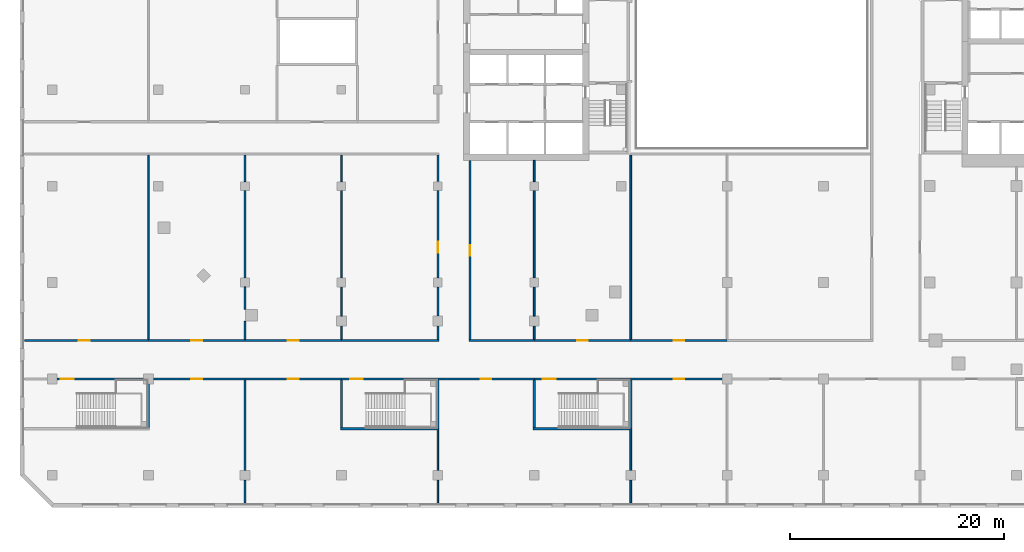
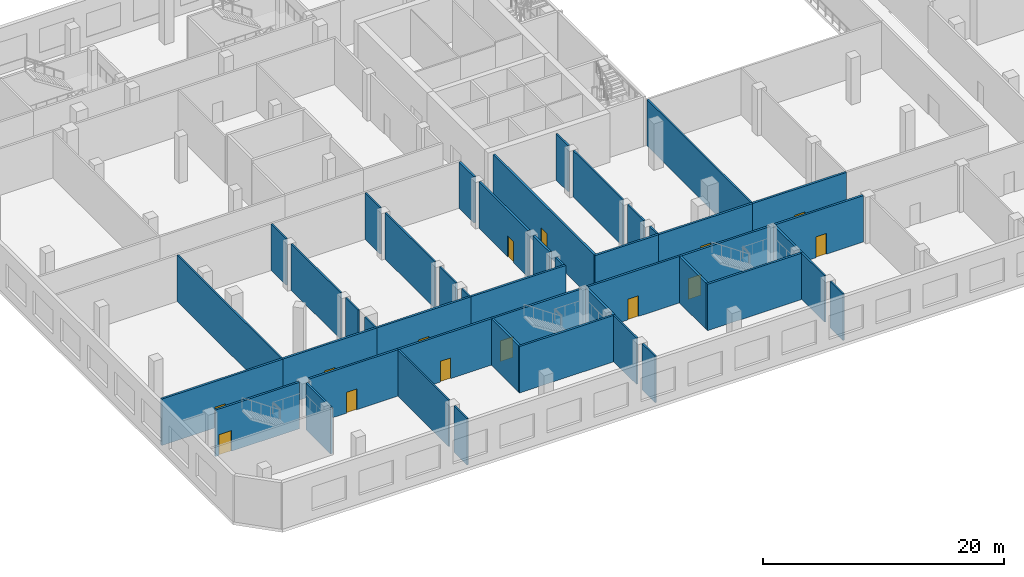
# One storey, part 4 of 21: 46 walls, 14 doors, 14 openings.
"""IFC4 building model written with IfcOpenShell, lengths in metres."""

from ifc_helpers import new_model, si_unit, direction, frame, frame_2d, origin, place, context, subcontext, project, spatial, rectangle, extrude, material, layer, layer_set, type_object, element, fill, save


model = new_model("IFC4")

# Units and contexts
model_context = context("Model", 3, precision=1e-05, world=origin(), true_north=direction((0.0, 1.0)))
body_context = subcontext(model_context, "Body", "Model", "MODEL_VIEW")
ifc_project = project(units=[si_unit("LENGTHUNIT", "METRE"), si_unit("AREAUNIT", "SQUARE_METRE"), si_unit("VOLUMEUNIT", "CUBIC_METRE"), si_unit("PLANEANGLEUNIT", "RADIAN"), si_unit("MASSUNIT", "GRAM", prefix="KILO")], contexts=[model_context])

# Site, building, storey
site_placement = place(None, origin())
site = spatial("IfcSite", under=ifc_project, at=site_placement, CompositionType="ELEMENT")
building_placement = place(site_placement, origin())
building = spatial("IfcBuilding", under=site, at=building_placement, Name="Cinnabar Reach Civic Tower", CompositionType="ELEMENT")
storey_placement = place(building_placement, frame((0.0, 0.0, 16.0)))
storey = spatial("IfcBuildingStorey", under=building, at=storey_placement, Name="L03", CompositionType="ELEMENT", Elevation=16.0)

# Wall, opening, door
ifc_material_1 = material(Name="Concrete blockwork", Category="masonry")
ifc_layer_1 = layer(ifc_material_1, 0.2)
ifc_layer_set_1 = layer_set([ifc_layer_1], Name="Podium masonry corridor wall 200 EI 120")
wall_type_1 = type_object("IfcWallType", Name="Podium masonry corridor wall 200 EI 120", PredefinedType="PARTITIONING", material=ifc_layer_set_1)
wall_1_placement = place(storey_placement, frame((-71.53, 0.0, 0.0), z_axis=(0.0, 0.0, 1.0), x_axis=(1.0, 0.0, 0.0)))
wall_1 = element("IfcWall", 1, at=wall_1_placement, inside=storey, type_object=wall_type_1, Name="Wall L03 41", PredefinedType="PARTITIONING", context=body_context, shape_type="SweptSolid", body=[
    extrude(rectangle(XDim=8.53, YDim=0.2, at=frame_2d((4.265, 0.0))), origin(), (0.0, 0.0, 1.0), 4.7),
])
opening_1_placement = place(wall_1_placement, frame((3.53, 0.0, 0.0)))
opening_1 = element("IfcOpeningElement", 2, at=opening_1_placement, cuts=wall_1, Name="Opening D1170", PredefinedType="OPENING", context=body_context, shape_type="SweptSolid", body=[
    extrude(rectangle(XDim=1.0, YDim=2.1, at=frame_2d((0.5, 1.05))), frame((0.0, 0.11, 0.0), z_axis=(0.0, -1.0, 0.0), x_axis=(1.0, 0.0, 0.0)), (0.0, 0.0, 1.0), 0.22),
])
ifc_material_2 = material(Name="Painted steel door leaf", Category="steel")
door_type_1 = type_object("IfcDoorType", Name="Podium single door 1000x2100", OperationType="SINGLE_SWING_LEFT", PredefinedType="DOOR", material=ifc_material_2)
door_1_placement = place(opening_1_placement, frame((1.0, 0.0, 0.0), z_axis=(0.0, 0.0, 1.0), x_axis=(-1.0, 0.0, 0.0)))
door_1 = element("IfcDoor", 3, at=door_1_placement, inside=storey, type_object=door_type_1, Name="Door D1170", OperationType="SINGLE_SWING_LEFT", OverallHeight=2.1, OverallWidth=1.0, PredefinedType="DOOR", context=body_context, shape_type="SweptSolid", body=[
    extrude(rectangle(XDim=1.0, YDim=2.1, at=frame_2d((0.5, 1.05))), frame((0.0, 0.025, 0.0), z_axis=(0.0, -1.0, 0.0), x_axis=(1.0, 0.0, 0.0)), (0.0, 0.0, 1.0), 0.05),
])
fill(opening_1, door_1)

wall_2_placement = place(storey_placement, frame((-63.0, 0.0, 0.0), z_axis=(0.0, 0.0, 1.0), x_axis=(1.0, 0.0, 0.0)))
wall_2 = element("IfcWall", 4, at=wall_2_placement, inside=storey, type_object=wall_type_1, Name="Wall L03 42", PredefinedType="PARTITIONING", context=body_context, shape_type="SweptSolid", body=[
    extrude(rectangle(XDim=9.0, YDim=0.2, at=frame_2d((4.5, 0.0))), origin(), (0.0, 0.0, 1.0), 4.7),
])
opening_2_placement = place(wall_2_placement, frame((4.0, 0.0, 0.0)))
opening_2 = element("IfcOpeningElement", 5, at=opening_2_placement, cuts=wall_2, Name="Opening D1171", PredefinedType="OPENING", context=body_context, shape_type="SweptSolid", body=[
    extrude(rectangle(XDim=1.0, YDim=2.1, at=frame_2d((0.5, 1.05))), frame((0.0, 0.11, 0.0), z_axis=(0.0, -1.0, 0.0), x_axis=(1.0, 0.0, 0.0)), (0.0, 0.0, 1.0), 0.22),
])
door_2_placement = place(opening_2_placement, frame((1.0, 0.0, 0.0), z_axis=(0.0, 0.0, 1.0), x_axis=(-1.0, 0.0, 0.0)))
door_2 = element("IfcDoor", 6, at=door_2_placement, inside=storey, type_object=door_type_1, Name="Door D1171", OperationType="SINGLE_SWING_LEFT", OverallHeight=2.1, OverallWidth=1.0, PredefinedType="DOOR", context=body_context, shape_type="SweptSolid", body=[
    extrude(rectangle(XDim=1.0, YDim=2.1, at=frame_2d((0.5, 1.05))), frame((0.0, 0.025, 0.0), z_axis=(0.0, -1.0, 0.0), x_axis=(1.0, 0.0, 0.0)), (0.0, 0.0, 1.0), 0.05),
])
fill(opening_2, door_2)

wall_3_placement = place(storey_placement, frame((-45.0, 0.0, 0.0), z_axis=(0.0, 0.0, 1.0), x_axis=(1.0, 0.0, 0.0)))
wall_3 = element("IfcWall", 7, at=wall_3_placement, inside=storey, type_object=wall_type_1, Name="Wall L03 43", PredefinedType="PARTITIONING", context=body_context, shape_type="SweptSolid", body=[
    extrude(rectangle(XDim=9.0, YDim=0.2, at=frame_2d((4.5, 0.0))), origin(), (0.0, 0.0, 1.0), 4.7),
])
opening_3_placement = place(wall_3_placement, frame((4.0, 0.0, 0.0)))
opening_3 = element("IfcOpeningElement", 8, at=opening_3_placement, cuts=wall_3, Name="Opening D1172", PredefinedType="OPENING", context=body_context, shape_type="SweptSolid", body=[
    extrude(rectangle(XDim=1.0, YDim=2.1, at=frame_2d((0.5, 1.05))), frame((0.0, 0.11, 0.0), z_axis=(0.0, -1.0, 0.0), x_axis=(1.0, 0.0, 0.0)), (0.0, 0.0, 1.0), 0.22),
])
door_3_placement = place(opening_3_placement, frame((1.0, 0.0, 0.0), z_axis=(0.0, 0.0, 1.0), x_axis=(-1.0, 0.0, 0.0)))
door_3 = element("IfcDoor", 9, at=door_3_placement, inside=storey, type_object=door_type_1, Name="Door D1172", OperationType="SINGLE_SWING_RIGHT", OverallHeight=2.1, OverallWidth=1.0, PredefinedType="DOOR", context=body_context, shape_type="SweptSolid", body=[
    extrude(rectangle(XDim=1.0, YDim=2.1, at=frame_2d((0.5, 1.05))), frame((0.0, 0.025, 0.0), z_axis=(0.0, -1.0, 0.0), x_axis=(1.0, 0.0, 0.0)), (0.0, 0.0, 1.0), 0.05),
])
fill(opening_3, door_3)

wall_4_placement = place(storey_placement, frame((-83.6, 3.6, 0.0), z_axis=(0.0, 0.0, 1.0), x_axis=(1.0, 0.0, 0.0)))
wall_4 = element("IfcWall", 10, at=wall_4_placement, inside=storey, type_object=wall_type_1, Name="Wall L03 44", PredefinedType="PARTITIONING", context=body_context, shape_type="SweptSolid", body=[
    extrude(rectangle(XDim=11.6, YDim=0.2, at=frame_2d((5.8, 0.0))), origin(), (0.0, 0.0, 1.0), 4.7),
])
opening_4_placement = place(wall_4_placement, frame((5.1, 0.0, 0.0)))
opening_4 = element("IfcOpeningElement", 11, at=opening_4_placement, cuts=wall_4, Name="Opening D1178", PredefinedType="OPENING", context=body_context, shape_type="SweptSolid", body=[
    extrude(rectangle(XDim=1.0, YDim=2.1, at=frame_2d((0.5, 1.05))), frame((0.0, 0.11, 0.0), z_axis=(0.0, -1.0, 0.0), x_axis=(1.0, 0.0, 0.0)), (0.0, 0.0, 1.0), 0.22),
])
door_4_placement = place(opening_4_placement, origin())
door_4 = element("IfcDoor", 12, at=door_4_placement, inside=storey, type_object=door_type_1, Name="Door D1178", OperationType="SINGLE_SWING_RIGHT", OverallHeight=2.1, OverallWidth=1.0, PredefinedType="DOOR", context=body_context, shape_type="SweptSolid", body=[
    extrude(rectangle(XDim=1.0, YDim=2.1, at=frame_2d((0.5, 1.05))), frame((0.0, 0.025, 0.0), z_axis=(0.0, -1.0, 0.0), x_axis=(1.0, 0.0, 0.0)), (0.0, 0.0, 1.0), 0.05),
])
fill(opening_4, door_4)

wall_5_placement = place(storey_placement, frame((-72.0, 3.6, 0.0), z_axis=(0.0, 0.0, 1.0), x_axis=(1.0, 0.0, 0.0)))
wall_5 = element("IfcWall", 13, at=wall_5_placement, inside=storey, type_object=wall_type_1, Name="Wall L03 45", PredefinedType="PARTITIONING", context=body_context, shape_type="SweptSolid", body=[
    extrude(rectangle(XDim=9.0, YDim=0.2, at=frame_2d((4.5, 0.0))), origin(), (0.0, 0.0, 1.0), 4.7),
])
opening_5_placement = place(wall_5_placement, frame((4.0, 0.0, 0.0)))
opening_5 = element("IfcOpeningElement", 14, at=opening_5_placement, cuts=wall_5, Name="Opening D1179", PredefinedType="OPENING", context=body_context, shape_type="SweptSolid", body=[
    extrude(rectangle(XDim=1.0, YDim=2.1, at=frame_2d((0.5, 1.05))), frame((0.0, 0.11, 0.0), z_axis=(0.0, -1.0, 0.0), x_axis=(1.0, 0.0, 0.0)), (0.0, 0.0, 1.0), 0.22),
])
door_5_placement = place(opening_5_placement, origin())
door_5 = element("IfcDoor", 15, at=door_5_placement, inside=storey, type_object=door_type_1, Name="Door D1179", OperationType="SINGLE_SWING_LEFT", OverallHeight=2.1, OverallWidth=1.0, PredefinedType="DOOR", context=body_context, shape_type="SweptSolid", body=[
    extrude(rectangle(XDim=1.0, YDim=2.1, at=frame_2d((0.5, 1.05))), frame((0.0, 0.025, 0.0), z_axis=(0.0, -1.0, 0.0), x_axis=(1.0, 0.0, 0.0)), (0.0, 0.0, 1.0), 0.05),
])
fill(opening_5, door_5)

wall_6_placement = place(storey_placement, frame((-63.0, 3.6, 0.0), z_axis=(0.0, 0.0, 1.0), x_axis=(1.0, 0.0, 0.0)))
wall_6 = element("IfcWall", 16, at=wall_6_placement, inside=storey, type_object=wall_type_1, Name="Wall L03 46", PredefinedType="PARTITIONING", context=body_context, shape_type="SweptSolid", body=[
    extrude(rectangle(XDim=9.0, YDim=0.2, at=frame_2d((4.5, 0.0))), origin(), (0.0, 0.0, 1.0), 4.7),
])
opening_6_placement = place(wall_6_placement, frame((4.0, 0.0, 0.0)))
opening_6 = element("IfcOpeningElement", 17, at=opening_6_placement, cuts=wall_6, Name="Opening D1180", PredefinedType="OPENING", context=body_context, shape_type="SweptSolid", body=[
    extrude(rectangle(XDim=1.0, YDim=2.1, at=frame_2d((0.5, 1.05))), frame((0.0, 0.11, 0.0), z_axis=(0.0, -1.0, 0.0), x_axis=(1.0, 0.0, 0.0)), (0.0, 0.0, 1.0), 0.22),
])
door_6_placement = place(opening_6_placement, origin())
door_6 = element("IfcDoor", 18, at=door_6_placement, inside=storey, type_object=door_type_1, Name="Door D1180", OperationType="SINGLE_SWING_RIGHT", OverallHeight=2.1, OverallWidth=1.0, PredefinedType="DOOR", context=body_context, shape_type="SweptSolid", body=[
    extrude(rectangle(XDim=1.0, YDim=2.1, at=frame_2d((0.5, 1.05))), frame((0.0, 0.025, 0.0), z_axis=(0.0, -1.0, 0.0), x_axis=(1.0, 0.0, 0.0)), (0.0, 0.0, 1.0), 0.05),
])
fill(opening_6, door_6)

# Walls
wall_7_placement = place(storey_placement, frame((-54.0, 3.6, 0.0), z_axis=(0.0, 0.0, 1.0), x_axis=(1.0, 0.0, 0.0)))
element("IfcWall", 19, at=wall_7_placement, inside=storey, type_object=wall_type_1, Name="Wall L03 47", PredefinedType="PARTITIONING", context=body_context, shape_type="SweptSolid", body=[
    extrude(rectangle(XDim=9.1, YDim=0.2, at=frame_2d((4.55, 0.0))), origin(), (0.0, 0.0, 1.0), 4.7),
])
wall_8_placement = place(storey_placement, frame((-42.1, 3.6, 0.0), z_axis=(0.0, 0.0, 1.0), x_axis=(1.0, 0.0, 0.0)))
element("IfcWall", 20, at=wall_8_placement, inside=storey, type_object=wall_type_1, Name="Wall L03 48", PredefinedType="PARTITIONING", context=body_context, shape_type="SweptSolid", body=[
    extrude(rectangle(XDim=6.1, YDim=0.2, at=frame_2d((3.05, 0.0))), origin(), (0.0, 0.0, 1.0), 4.7),
])

# Wall, opening, door
wall_9_placement = place(storey_placement, frame((-36.0, 3.6, 0.0), z_axis=(0.0, 0.0, 1.0), x_axis=(1.0, 0.0, 0.0)))
wall_9 = element("IfcWall", 21, at=wall_9_placement, inside=storey, type_object=wall_type_1, Name="Wall L03 49", PredefinedType="PARTITIONING", context=body_context, shape_type="SweptSolid", body=[
    extrude(rectangle(XDim=9.0, YDim=0.2, at=frame_2d((4.5, 0.0))), origin(), (0.0, 0.0, 1.0), 4.7),
])
opening_7_placement = place(wall_9_placement, frame((4.0, 0.0, 0.0)))
opening_7 = element("IfcOpeningElement", 22, at=opening_7_placement, cuts=wall_9, Name="Opening D1183", PredefinedType="OPENING", context=body_context, shape_type="SweptSolid", body=[
    extrude(rectangle(XDim=1.0, YDim=2.1, at=frame_2d((0.5, 1.05))), frame((0.0, 0.11, 0.0), z_axis=(0.0, -1.0, 0.0), x_axis=(1.0, 0.0, 0.0)), (0.0, 0.0, 1.0), 0.22),
])
door_7_placement = place(opening_7_placement, origin())
door_7 = element("IfcDoor", 23, at=door_7_placement, inside=storey, type_object=door_type_1, Name="Door D1183", OperationType="SINGLE_SWING_LEFT", OverallHeight=2.1, OverallWidth=1.0, PredefinedType="DOOR", context=body_context, shape_type="SweptSolid", body=[
    extrude(rectangle(XDim=1.0, YDim=2.1, at=frame_2d((0.5, 1.05))), frame((0.0, 0.025, 0.0), z_axis=(0.0, -1.0, 0.0), x_axis=(1.0, 0.0, 0.0)), (0.0, 0.0, 1.0), 0.05),
])
fill(opening_7, door_7)

# Walls
wall_10_placement = place(storey_placement, frame((-45.0, 3.7, 0.0), z_axis=(0.0, 0.0, 1.0), x_axis=(0.0, 1.0, 0.0)))
element("IfcWall", 24, at=wall_10_placement, inside=storey, type_object=wall_type_1, Name="Wall L03 65", PredefinedType="PARTITIONING", context=body_context, shape_type="SweptSolid", body=[
    extrude(rectangle(XDim=1.23, YDim=0.2, at=frame_2d((0.615, 0.0))), origin(), (0.0, 0.0, 1.0), 4.7),
])
wall_11_placement = place(storey_placement, frame((-45.0, 5.87, 0.0), z_axis=(0.0, 0.0, 1.0), x_axis=(0.0, 1.0, 0.0)))
element("IfcWall", 25, at=wall_11_placement, inside=storey, type_object=wall_type_1, Name="Wall L03 66", PredefinedType="PARTITIONING", context=body_context, shape_type="SweptSolid", body=[
    extrude(rectangle(XDim=2.71, YDim=0.2, at=frame_2d((1.355, 0.0))), origin(), (0.0, 0.0, 1.0), 4.7),
])

# Wall, opening, door
wall_12_placement = place(storey_placement, frame((-45.0, 9.42, 0.0), z_axis=(0.0, 0.0, 1.0), x_axis=(0.0, 1.0, 0.0)))
wall_12 = element("IfcWall", 26, at=wall_12_placement, inside=storey, type_object=wall_type_1, Name="Wall L03 67", PredefinedType="PARTITIONING", context=body_context, shape_type="SweptSolid", body=[
    extrude(rectangle(XDim=8.16, YDim=0.2, at=frame_2d((4.08, 0.0))), origin(), (0.0, 0.0, 1.0), 4.7),
])
opening_8_placement = place(wall_12_placement, frame((2.38, 0.0, 0.0)))
opening_8 = element("IfcOpeningElement", 27, at=opening_8_placement, cuts=wall_12, Name="Opening D1181", PredefinedType="OPENING", context=body_context, shape_type="SweptSolid", body=[
    extrude(rectangle(XDim=1.0, YDim=2.1, at=frame_2d((0.5, 1.05))), frame((0.0, 0.11, 0.0), z_axis=(0.0, -1.0, 0.0), x_axis=(1.0, 0.0, 0.0)), (0.0, 0.0, 1.0), 0.22),
])
door_8_placement = place(opening_8_placement, origin())
door_8 = element("IfcDoor", 28, at=door_8_placement, inside=storey, type_object=door_type_1, Name="Door D1181", OperationType="SINGLE_SWING_LEFT", OverallHeight=2.1, OverallWidth=1.0, PredefinedType="DOOR", context=body_context, shape_type="SweptSolid", body=[
    extrude(rectangle(XDim=1.0, YDim=2.1, at=frame_2d((0.5, 1.05))), frame((0.0, 0.025, 0.0), z_axis=(0.0, -1.0, 0.0), x_axis=(1.0, 0.0, 0.0)), (0.0, 0.0, 1.0), 0.05),
])
fill(opening_8, door_8)

# Wall
wall_13_placement = place(storey_placement, frame((-45.0, 18.42, 0.0), z_axis=(0.0, 0.0, 1.0), x_axis=(0.0, 1.0, 0.0)))
element("IfcWall", 29, at=wall_13_placement, inside=storey, type_object=wall_type_1, Name="Wall L03 68", PredefinedType="PARTITIONING", context=body_context, shape_type="SweptSolid", body=[
    extrude(rectangle(XDim=2.48, YDim=0.2, at=frame_2d((1.24, 0.0))), origin(), (0.0, 0.0, 1.0), 4.7),
])

# Wall, opening, door
wall_14_placement = place(storey_placement, frame((-42.0, 3.7, 0.0), z_axis=(0.0, 0.0, 1.0), x_axis=(0.0, 1.0, 0.0)))
wall_14 = element("IfcWall", 30, at=wall_14_placement, inside=storey, type_object=wall_type_1, Name="Wall L03 69", PredefinedType="PARTITIONING", context=body_context, shape_type="SweptSolid", body=[
    extrude(rectangle(XDim=16.7, YDim=0.2, at=frame_2d((8.35, 0.0))), origin(), (0.0, 0.0, 1.0), 4.7),
])
opening_9_placement = place(wall_14_placement, frame((7.8, 0.0, 0.0)))
opening_9 = element("IfcOpeningElement", 31, at=opening_9_placement, cuts=wall_14, Name="Opening D1182", PredefinedType="OPENING", context=body_context, shape_type="SweptSolid", body=[
    extrude(rectangle(XDim=1.0, YDim=2.1, at=frame_2d((0.5, 1.05))), frame((0.0, 0.11, 0.0), z_axis=(0.0, -1.0, 0.0), x_axis=(1.0, 0.0, 0.0)), (0.0, 0.0, 1.0), 0.22),
])
door_9_placement = place(opening_9_placement, frame((1.0, 0.0, 0.0), z_axis=(0.0, 0.0, 1.0), x_axis=(-1.0, 0.0, 0.0)))
door_9 = element("IfcDoor", 32, at=door_9_placement, inside=storey, type_object=door_type_1, Name="Door D1182", OperationType="SINGLE_SWING_LEFT", OverallHeight=2.1, OverallWidth=1.0, PredefinedType="DOOR", context=body_context, shape_type="SweptSolid", body=[
    extrude(rectangle(XDim=1.0, YDim=2.1, at=frame_2d((0.5, 1.05))), frame((0.0, 0.025, 0.0), z_axis=(0.0, -1.0, 0.0), x_axis=(1.0, 0.0, 0.0)), (0.0, 0.0, 1.0), 0.05),
])
fill(opening_9, door_9)

wall_15_placement = place(storey_placement, frame((-27.0, 3.6, 0.0), z_axis=(0.0, 0.0, 1.0), x_axis=(1.0, 0.0, 0.0)))
wall_15 = element("IfcWall", 33, at=wall_15_placement, inside=storey, type_object=wall_type_1, Name="Wall L03 121", PredefinedType="PARTITIONING", context=body_context, shape_type="SweptSolid", body=[
    extrude(rectangle(XDim=9.0, YDim=0.2, at=frame_2d((4.5, 0.0))), origin(), (0.0, 0.0, 1.0), 4.7),
])
opening_10_placement = place(wall_15_placement, frame((4.0, 0.0, 0.0)))
opening_10 = element("IfcOpeningElement", 34, at=opening_10_placement, cuts=wall_15, Name="Opening D1165", PredefinedType="OPENING", context=body_context, shape_type="SweptSolid", body=[
    extrude(rectangle(XDim=1.0, YDim=2.1, at=frame_2d((0.5, 1.05))), frame((0.0, 0.11, 0.0), z_axis=(0.0, -1.0, 0.0), x_axis=(1.0, 0.0, 0.0)), (0.0, 0.0, 1.0), 0.22),
])
door_10_placement = place(opening_10_placement, origin())
door_10 = element("IfcDoor", 35, at=door_10_placement, inside=storey, type_object=door_type_1, Name="Door D1165", OperationType="SINGLE_SWING_LEFT", OverallHeight=2.1, OverallWidth=1.0, PredefinedType="DOOR", context=body_context, shape_type="SweptSolid", body=[
    extrude(rectangle(XDim=1.0, YDim=2.1, at=frame_2d((0.5, 1.05))), frame((0.0, 0.025, 0.0), z_axis=(0.0, -1.0, 0.0), x_axis=(1.0, 0.0, 0.0)), (0.0, 0.0, 1.0), 0.05),
])
fill(opening_10, door_10)

wall_16_placement = place(storey_placement, frame((-27.0, 0.0, 0.0), z_axis=(0.0, 0.0, 1.0), x_axis=(1.0, 0.0, 0.0)))
wall_16 = element("IfcWall", 36, at=wall_16_placement, inside=storey, type_object=wall_type_1, Name="Wall L03 123", PredefinedType="PARTITIONING", context=body_context, shape_type="SweptSolid", body=[
    extrude(rectangle(XDim=8.53, YDim=0.2, at=frame_2d((4.265, 0.0))), origin(), (0.0, 0.0, 1.0), 4.7),
])
opening_11_placement = place(wall_16_placement, frame((4.0, 0.0, 0.0)))
opening_11 = element("IfcOpeningElement", 37, at=opening_11_placement, cuts=wall_16, Name="Opening D1167", PredefinedType="OPENING", context=body_context, shape_type="SweptSolid", body=[
    extrude(rectangle(XDim=1.0, YDim=2.1, at=frame_2d((0.5, 1.05))), frame((0.0, 0.11, 0.0), z_axis=(0.0, -1.0, 0.0), x_axis=(1.0, 0.0, 0.0)), (0.0, 0.0, 1.0), 0.22),
])
door_11_placement = place(opening_11_placement, frame((1.0, 0.0, 0.0), z_axis=(0.0, 0.0, 1.0), x_axis=(-1.0, 0.0, 0.0)))
door_11 = element("IfcDoor", 38, at=door_11_placement, inside=storey, type_object=door_type_1, Name="Door D1167", OperationType="SINGLE_SWING_LEFT", OverallHeight=2.1, OverallWidth=1.0, PredefinedType="DOOR", context=body_context, shape_type="SweptSolid", body=[
    extrude(rectangle(XDim=1.0, YDim=2.1, at=frame_2d((0.5, 1.05))), frame((0.0, 0.025, 0.0), z_axis=(0.0, -1.0, 0.0), x_axis=(1.0, 0.0, 0.0)), (0.0, 0.0, 1.0), 0.05),
])
fill(opening_11, door_11)

# Walls
ifc_material_3 = material(Name="Gypsum board on steel studs", Category="steel")
ifc_layer_2 = layer(ifc_material_3, 0.15)
ifc_layer_set_2 = layer_set([ifc_layer_2], Name="Podium partition wall 150 EI 90")
wall_type_2 = type_object("IfcWallType", Name="Podium partition wall 150 EI 90", PredefinedType="PARTITIONING", material=ifc_layer_set_2)
wall_17_placement = place(storey_placement, frame((-27.0, 3.7, 0.0), z_axis=(0.0, 0.0, 1.0), x_axis=(0.0, 1.0, 0.0)))
element("IfcWall", 39, at=wall_17_placement, inside=storey, type_object=wall_type_2, Name="Wall L03 147", PredefinedType="PARTITIONING", context=body_context, shape_type="SweptSolid", body=[
    extrude(rectangle(XDim=17.2, YDim=0.15, at=frame_2d((8.6, 0.0))), origin(), (0.0, 0.0, 1.0), 4.7),
])
wall_18_placement = place(storey_placement, frame((-27.0, -11.6, 0.0), z_axis=(0.0, 0.0, 1.0), x_axis=(0.0, 1.0, 0.0)))
element("IfcWall", 40, at=wall_18_placement, inside=storey, type_object=wall_type_2, Name="Wall L03 150", PredefinedType="PARTITIONING", context=body_context, shape_type="SweptSolid", body=[
    extrude(rectangle(XDim=2.13, YDim=0.15, at=frame_2d((1.065, 0.0))), origin(), (0.0, 0.0, 1.0), 4.7),
])
wall_19_placement = place(storey_placement, frame((-27.0, -8.53, 0.0), z_axis=(0.0, 0.0, 1.0), x_axis=(0.0, 1.0, 0.0)))
element("IfcWall", 41, at=wall_19_placement, inside=storey, type_object=wall_type_2, Name="Wall L03 151", PredefinedType="PARTITIONING", context=body_context, shape_type="SweptSolid", body=[
    extrude(rectangle(XDim=3.88, YDim=0.15, at=frame_2d((1.94, 0.0))), origin(), (0.0, 0.0, 1.0), 4.7),
])
wall_20_placement = place(storey_placement, frame((-63.0, -11.6, 0.0), z_axis=(0.0, 0.0, 1.0), x_axis=(0.0, 1.0, 0.0)))
element("IfcWall", 42, at=wall_20_placement, inside=storey, type_object=wall_type_2, Name="Wall L03 156", PredefinedType="PARTITIONING", context=body_context, shape_type="SweptSolid", body=[
    extrude(rectangle(XDim=2.13, YDim=0.15, at=frame_2d((1.065, 0.0))), origin(), (0.0, 0.0, 1.0), 4.7),
])
wall_21_placement = place(storey_placement, frame((-63.0, -8.53, 0.0), z_axis=(0.0, 0.0, 1.0), x_axis=(0.0, 1.0, 0.0)))
element("IfcWall", 43, at=wall_21_placement, inside=storey, type_object=wall_type_2, Name="Wall L03 157", PredefinedType="PARTITIONING", context=body_context, shape_type="SweptSolid", body=[
    extrude(rectangle(XDim=8.43, YDim=0.15, at=frame_2d((4.215, 0.0))), origin(), (0.0, 0.0, 1.0), 4.7),
])
wall_22_placement = place(storey_placement, frame((-45.0, -11.6, 0.0), z_axis=(0.0, 0.0, 1.0), x_axis=(0.0, 1.0, 0.0)))
element("IfcWall", 44, at=wall_22_placement, inside=storey, type_object=wall_type_2, Name="Wall L03 158", PredefinedType="PARTITIONING", context=body_context, shape_type="SweptSolid", body=[
    extrude(rectangle(XDim=2.13, YDim=0.15, at=frame_2d((1.065, 0.0))), origin(), (0.0, 0.0, 1.0), 4.7),
])
wall_23_placement = place(storey_placement, frame((-45.0, -8.53, 0.0), z_axis=(0.0, 0.0, 1.0), x_axis=(0.0, 1.0, 0.0)))
element("IfcWall", 45, at=wall_23_placement, inside=storey, type_object=wall_type_2, Name="Wall L03 159", PredefinedType="PARTITIONING", context=body_context, shape_type="SweptSolid", body=[
    extrude(rectangle(XDim=3.88, YDim=0.15, at=frame_2d((1.94, 0.0))), origin(), (0.0, 0.0, 1.0), 4.7),
])
wall_24_placement = place(storey_placement, frame((-72.0, 3.7, 0.0), z_axis=(0.0, 0.0, 1.0), x_axis=(0.0, 1.0, 0.0)))
element("IfcWall", 46, at=wall_24_placement, inside=storey, type_object=wall_type_2, Name="Wall L03 168", PredefinedType="PARTITIONING", context=body_context, shape_type="SweptSolid", body=[
    extrude(rectangle(XDim=17.2, YDim=0.15, at=frame_2d((8.6, 0.0))), origin(), (0.0, 0.0, 1.0), 4.7),
])
wall_25_placement = place(storey_placement, frame((-63.0, 3.7, 0.0), z_axis=(0.0, 0.0, 1.0), x_axis=(0.0, 1.0, 0.0)))
element("IfcWall", 47, at=wall_25_placement, inside=storey, type_object=wall_type_2, Name="Wall L03 169", PredefinedType="PARTITIONING", context=body_context, shape_type="SweptSolid", body=[
    extrude(rectangle(XDim=1.6831, YDim=0.15, at=frame_2d((0.8416, 0.0))), origin(), (0.0, 0.0, 1.0), 4.7),
])
wall_26_placement = place(storey_placement, frame((-63.0, 6.5231, 0.0), z_axis=(0.0, 0.0, 1.0), x_axis=(0.0, 1.0, 0.0)))
element("IfcWall", 48, at=wall_26_placement, inside=storey, type_object=wall_type_2, Name="Wall L03 170", PredefinedType="PARTITIONING", context=body_context, shape_type="SweptSolid", body=[
    extrude(rectangle(XDim=2.0569, YDim=0.15, at=frame_2d((1.0285, 0.0))), origin(), (0.0, 0.0, 1.0), 4.7),
])
wall_27_placement = place(storey_placement, frame((-63.0, 9.42, 0.0), z_axis=(0.0, 0.0, 1.0), x_axis=(0.0, 1.0, 0.0)))
element("IfcWall", 49, at=wall_27_placement, inside=storey, type_object=wall_type_2, Name="Wall L03 171", PredefinedType="PARTITIONING", context=body_context, shape_type="SweptSolid", body=[
    extrude(rectangle(XDim=8.16, YDim=0.15, at=frame_2d((4.08, 0.0))), origin(), (0.0, 0.0, 1.0), 4.7),
])
wall_28_placement = place(storey_placement, frame((-63.0, 18.42, 0.0), z_axis=(0.0, 0.0, 1.0), x_axis=(0.0, 1.0, 0.0)))
element("IfcWall", 50, at=wall_28_placement, inside=storey, type_object=wall_type_2, Name="Wall L03 172", PredefinedType="PARTITIONING", context=body_context, shape_type="SweptSolid", body=[
    extrude(rectangle(XDim=2.48, YDim=0.15, at=frame_2d((1.24, 0.0))), origin(), (0.0, 0.0, 1.0), 4.7),
])
wall_29_placement = place(storey_placement, frame((-54.0, 3.7, 0.0), z_axis=(0.0, 0.0, 1.0), x_axis=(0.0, 1.0, 0.0)))
element("IfcWall", 51, at=wall_29_placement, inside=storey, type_object=wall_type_2, Name="Wall L03 173", PredefinedType="PARTITIONING", context=body_context, shape_type="SweptSolid", body=[
    extrude(rectangle(XDim=1.23, YDim=0.15, at=frame_2d((0.615, 0.0))), origin(), (0.0, 0.0, 1.0), 4.7),
])
wall_30_placement = place(storey_placement, frame((-54.0, 5.87, 0.0), z_axis=(0.0, 0.0, 1.0), x_axis=(0.0, 1.0, 0.0)))
element("IfcWall", 52, at=wall_30_placement, inside=storey, type_object=wall_type_2, Name="Wall L03 174", PredefinedType="PARTITIONING", context=body_context, shape_type="SweptSolid", body=[
    extrude(rectangle(XDim=2.71, YDim=0.15, at=frame_2d((1.355, 0.0))), origin(), (0.0, 0.0, 1.0), 4.7),
])
wall_31_placement = place(storey_placement, frame((-54.0, 9.42, 0.0), z_axis=(0.0, 0.0, 1.0), x_axis=(0.0, 1.0, 0.0)))
element("IfcWall", 53, at=wall_31_placement, inside=storey, type_object=wall_type_2, Name="Wall L03 175", PredefinedType="PARTITIONING", context=body_context, shape_type="SweptSolid", body=[
    extrude(rectangle(XDim=8.16, YDim=0.15, at=frame_2d((4.08, 0.0))), origin(), (0.0, 0.0, 1.0), 4.7),
])
wall_32_placement = place(storey_placement, frame((-54.0, 18.42, 0.0), z_axis=(0.0, 0.0, 1.0), x_axis=(0.0, 1.0, 0.0)))
element("IfcWall", 54, at=wall_32_placement, inside=storey, type_object=wall_type_2, Name="Wall L03 176", PredefinedType="PARTITIONING", context=body_context, shape_type="SweptSolid", body=[
    extrude(rectangle(XDim=2.48, YDim=0.15, at=frame_2d((1.24, 0.0))), origin(), (0.0, 0.0, 1.0), 4.7),
])
wall_33_placement = place(storey_placement, frame((-36.0, 3.7, 0.0), z_axis=(0.0, 0.0, 1.0), x_axis=(0.0, 1.0, 0.0)))
element("IfcWall", 55, at=wall_33_placement, inside=storey, type_object=wall_type_2, Name="Wall L03 177", PredefinedType="PARTITIONING", context=body_context, shape_type="SweptSolid", body=[
    extrude(rectangle(XDim=1.23, YDim=0.15, at=frame_2d((0.615, 0.0))), origin(), (0.0, 0.0, 1.0), 4.7),
])
wall_34_placement = place(storey_placement, frame((-36.0, 5.87, 0.0), z_axis=(0.0, 0.0, 1.0), x_axis=(0.0, 1.0, 0.0)))
element("IfcWall", 56, at=wall_34_placement, inside=storey, type_object=wall_type_2, Name="Wall L03 178", PredefinedType="PARTITIONING", context=body_context, shape_type="SweptSolid", body=[
    extrude(rectangle(XDim=2.71, YDim=0.15, at=frame_2d((1.355, 0.0))), origin(), (0.0, 0.0, 1.0), 4.7),
])
wall_35_placement = place(storey_placement, frame((-36.0, 9.42, 0.0), z_axis=(0.0, 0.0, 1.0), x_axis=(0.0, 1.0, 0.0)))
element("IfcWall", 57, at=wall_35_placement, inside=storey, type_object=wall_type_2, Name="Wall L03 179", PredefinedType="PARTITIONING", context=body_context, shape_type="SweptSolid", body=[
    extrude(rectangle(XDim=8.16, YDim=0.15, at=frame_2d((4.08, 0.0))), origin(), (0.0, 0.0, 1.0), 4.7),
])
wall_36_placement = place(storey_placement, frame((-36.0, 18.42, 0.0), z_axis=(0.0, 0.0, 1.0), x_axis=(0.0, 1.0, 0.0)))
element("IfcWall", 58, at=wall_36_placement, inside=storey, type_object=wall_type_2, Name="Wall L03 180", PredefinedType="PARTITIONING", context=body_context, shape_type="SweptSolid", body=[
    extrude(rectangle(XDim=1.98, YDim=0.15, at=frame_2d((0.99, 0.0))), origin(), (0.0, 0.0, 1.0), 4.7),
])

# Wall, opening, door
ifc_material_4 = material(Name="Concrete C40", Category="concrete")
ifc_layer_3 = layer(ifc_material_4, 0.2)
ifc_layer_set_3 = layer_set([ifc_layer_3], Name="Podium stair shaft wall 200 EI 120")
wall_type_3 = type_object("IfcWallType", Name="Podium stair shaft wall 200 EI 120", PredefinedType="SOLIDWALL", material=ifc_layer_set_3)
wall_37_placement = place(storey_placement, frame((-80.53, 0.0, 0.0), z_axis=(0.0, 0.0, 1.0), x_axis=(1.0, 0.0, 0.0)))
wall_37 = element("IfcWall", 59, at=wall_37_placement, inside=storey, type_object=wall_type_3, Name="Wall L03 2", PredefinedType="SOLIDWALL", context=body_context, shape_type="SweptSolid", body=[
    extrude(rectangle(XDim=8.06, YDim=0.2, at=frame_2d((4.03, 0.0))), origin(), (0.0, 0.0, 1.0), 4.7),
])
opening_12_placement = place(wall_37_placement, frame((0.33, 0.0, 0.0)))
opening_12 = element("IfcOpeningElement", 60, at=opening_12_placement, cuts=wall_37, Name="Opening D1213", PredefinedType="OPENING", context=body_context, shape_type="SweptSolid", body=[
    extrude(rectangle(XDim=1.2, YDim=2.1, at=frame_2d((0.6, 1.05))), frame((0.0, 0.11, 0.0), z_axis=(0.0, -1.0, 0.0), x_axis=(1.0, 0.0, 0.0)), (0.0, 0.0, 1.0), 0.22),
])
door_type_2 = type_object("IfcDoorType", Name="Podium single door 1200x2100", OperationType="SINGLE_SWING_LEFT", PredefinedType="DOOR", material=ifc_material_2)
door_12_placement = place(opening_12_placement, frame((1.2, 0.0, 0.0), z_axis=(0.0, 0.0, 1.0), x_axis=(-1.0, 0.0, 0.0)))
door_12 = element("IfcDoor", 61, at=door_12_placement, inside=storey, type_object=door_type_2, Name="Door D1213", OperationType="SINGLE_SWING_RIGHT", OverallHeight=2.1, OverallWidth=1.2, PredefinedType="DOOR", context=body_context, shape_type="SweptSolid", body=[
    extrude(rectangle(XDim=1.2, YDim=2.1, at=frame_2d((0.6, 1.05))), frame((0.0, 0.025, 0.0), z_axis=(0.0, -1.0, 0.0), x_axis=(1.0, 0.0, 0.0)), (0.0, 0.0, 1.0), 0.05),
])
fill(opening_12, door_12)

# Wall
wall_38_placement = place(storey_placement, frame((-72.0, -4.55, 0.0), z_axis=(0.0, 0.0, 1.0), x_axis=(0.0, 1.0, 0.0)))
element("IfcWall", 62, at=wall_38_placement, inside=storey, type_object=wall_type_3, Name="Wall L03 3", PredefinedType="SOLIDWALL", context=body_context, shape_type="SweptSolid", body=[
    extrude(rectangle(XDim=4.08, YDim=0.2, at=frame_2d((2.04, 0.0))), origin(), (0.0, 0.0, 1.0), 4.7),
])

# Wall, opening, door
wall_39_placement = place(storey_placement, frame((-54.0, 0.0, 0.0), z_axis=(0.0, 0.0, 1.0), x_axis=(1.0, 0.0, 0.0)))
wall_39 = element("IfcWall", 63, at=wall_39_placement, inside=storey, type_object=wall_type_3, Name="Wall L03 33", PredefinedType="SOLIDWALL", context=body_context, shape_type="SweptSolid", body=[
    extrude(rectangle(XDim=9.0, YDim=0.2, at=frame_2d((4.5, 0.0))), origin(), (0.0, 0.0, 1.0), 4.7),
])
opening_13_placement = place(wall_39_placement, frame((0.8, 0.0, 0.0)))
opening_13 = element("IfcOpeningElement", 64, at=opening_13_placement, cuts=wall_39, Name="Opening D1220", PredefinedType="OPENING", context=body_context, shape_type="SweptSolid", body=[
    extrude(rectangle(XDim=1.2, YDim=2.1, at=frame_2d((0.6, 1.05))), frame((0.0, 0.11, 0.0), z_axis=(0.0, -1.0, 0.0), x_axis=(1.0, 0.0, 0.0)), (0.0, 0.0, 1.0), 0.22),
])
door_13_placement = place(opening_13_placement, frame((1.2, 0.0, 0.0), z_axis=(0.0, 0.0, 1.0), x_axis=(-1.0, 0.0, 0.0)))
door_13 = element("IfcDoor", 65, at=door_13_placement, inside=storey, type_object=door_type_2, Name="Door D1220", OperationType="SINGLE_SWING_LEFT", OverallHeight=2.1, OverallWidth=1.2, PredefinedType="DOOR", context=body_context, shape_type="SweptSolid", body=[
    extrude(rectangle(XDim=1.2, YDim=2.1, at=frame_2d((0.6, 1.05))), frame((0.0, 0.025, 0.0), z_axis=(0.0, -1.0, 0.0), x_axis=(1.0, 0.0, 0.0)), (0.0, 0.0, 1.0), 0.05),
])
fill(opening_13, door_13)

# Walls
wall_40_placement = place(storey_placement, frame((-54.1, -4.65, 0.0), z_axis=(0.0, 0.0, 1.0), x_axis=(1.0, 0.0, 0.0)))
element("IfcWall", 66, at=wall_40_placement, inside=storey, type_object=wall_type_3, Name="Wall L03 34", PredefinedType="SOLIDWALL", context=body_context, shape_type="SweptSolid", body=[
    extrude(rectangle(XDim=9.0, YDim=0.2, at=frame_2d((4.5, 0.0))), origin(), (0.0, 0.0, 1.0), 4.7),
])
wall_41_placement = place(storey_placement, frame((-54.0, -4.55, 0.0), z_axis=(0.0, 0.0, 1.0), x_axis=(0.0, 1.0, 0.0)))
element("IfcWall", 67, at=wall_41_placement, inside=storey, type_object=wall_type_3, Name="Wall L03 35", PredefinedType="SOLIDWALL", context=body_context, shape_type="SweptSolid", body=[
    extrude(rectangle(XDim=4.45, YDim=0.2, at=frame_2d((2.225, 0.0))), origin(), (0.0, 0.0, 1.0), 4.7),
])
wall_42_placement = place(storey_placement, frame((-45.0, -4.65, 0.0), z_axis=(0.0, 0.0, 1.0), x_axis=(0.0, 1.0, 0.0)))
element("IfcWall", 68, at=wall_42_placement, inside=storey, type_object=wall_type_3, Name="Wall L03 36", PredefinedType="SOLIDWALL", context=body_context, shape_type="SweptSolid", body=[
    extrude(rectangle(XDim=4.55, YDim=0.2, at=frame_2d((2.275, 0.0))), origin(), (0.0, 0.0, 1.0), 4.7),
])

# Wall, opening, door
wall_43_placement = place(storey_placement, frame((-36.0, 0.0, 0.0), z_axis=(0.0, 0.0, 1.0), x_axis=(1.0, 0.0, 0.0)))
wall_43 = element("IfcWall", 69, at=wall_43_placement, inside=storey, type_object=wall_type_3, Name="Wall L03 37", PredefinedType="SOLIDWALL", context=body_context, shape_type="SweptSolid", body=[
    extrude(rectangle(XDim=9.0, YDim=0.2, at=frame_2d((4.5, 0.0))), origin(), (0.0, 0.0, 1.0), 4.7),
])
opening_14_placement = place(wall_43_placement, frame((0.8, 0.0, 0.0)))
opening_14 = element("IfcOpeningElement", 70, at=opening_14_placement, cuts=wall_43, Name="Opening D1221", PredefinedType="OPENING", context=body_context, shape_type="SweptSolid", body=[
    extrude(rectangle(XDim=1.2, YDim=2.1, at=frame_2d((0.6, 1.05))), frame((0.0, 0.11, 0.0), z_axis=(0.0, -1.0, 0.0), x_axis=(1.0, 0.0, 0.0)), (0.0, 0.0, 1.0), 0.22),
])
door_14_placement = place(opening_14_placement, frame((1.2, 0.0, 0.0), z_axis=(0.0, 0.0, 1.0), x_axis=(-1.0, 0.0, 0.0)))
door_14 = element("IfcDoor", 71, at=door_14_placement, inside=storey, type_object=door_type_2, Name="Door D1221", OperationType="SINGLE_SWING_LEFT", OverallHeight=2.1, OverallWidth=1.2, PredefinedType="DOOR", context=body_context, shape_type="SweptSolid", body=[
    extrude(rectangle(XDim=1.2, YDim=2.1, at=frame_2d((0.6, 1.05))), frame((0.0, 0.025, 0.0), z_axis=(0.0, -1.0, 0.0), x_axis=(1.0, 0.0, 0.0)), (0.0, 0.0, 1.0), 0.05),
])
fill(opening_14, door_14)

# Walls
wall_44_placement = place(storey_placement, frame((-27.0, -4.65, 0.0), z_axis=(0.0, 0.0, 1.0), x_axis=(0.0, 1.0, 0.0)))
element("IfcWall", 72, at=wall_44_placement, inside=storey, type_object=wall_type_3, Name="Wall L03 38", PredefinedType="SOLIDWALL", context=body_context, shape_type="SweptSolid", body=[
    extrude(rectangle(XDim=4.55, YDim=0.2, at=frame_2d((2.275, 0.0))), origin(), (0.0, 0.0, 1.0), 4.7),
])
wall_45_placement = place(storey_placement, frame((-36.1, -4.65, 0.0), z_axis=(0.0, 0.0, 1.0), x_axis=(1.0, 0.0, 0.0)))
element("IfcWall", 73, at=wall_45_placement, inside=storey, type_object=wall_type_3, Name="Wall L03 39", PredefinedType="SOLIDWALL", context=body_context, shape_type="SweptSolid", body=[
    extrude(rectangle(XDim=9.0, YDim=0.2, at=frame_2d((4.5, 0.0))), origin(), (0.0, 0.0, 1.0), 4.7),
])
wall_46_placement = place(storey_placement, frame((-36.0, -4.55, 0.0), z_axis=(0.0, 0.0, 1.0), x_axis=(0.0, 1.0, 0.0)))
element("IfcWall", 74, at=wall_46_placement, inside=storey, type_object=wall_type_3, Name="Wall L03 40", PredefinedType="SOLIDWALL", context=body_context, shape_type="SweptSolid", body=[
    extrude(rectangle(XDim=4.45, YDim=0.2, at=frame_2d((2.225, 0.0))), origin(), (0.0, 0.0, 1.0), 4.7),
])

save(model, "model.ifc")
